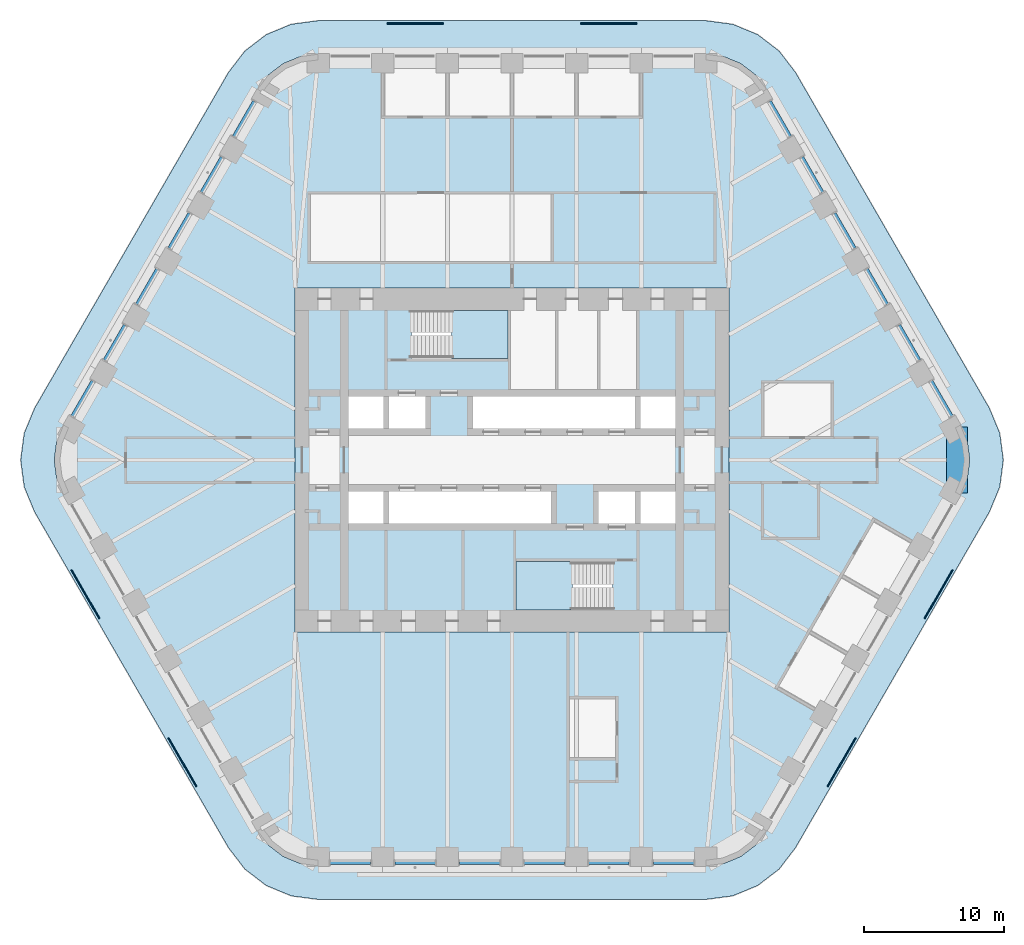
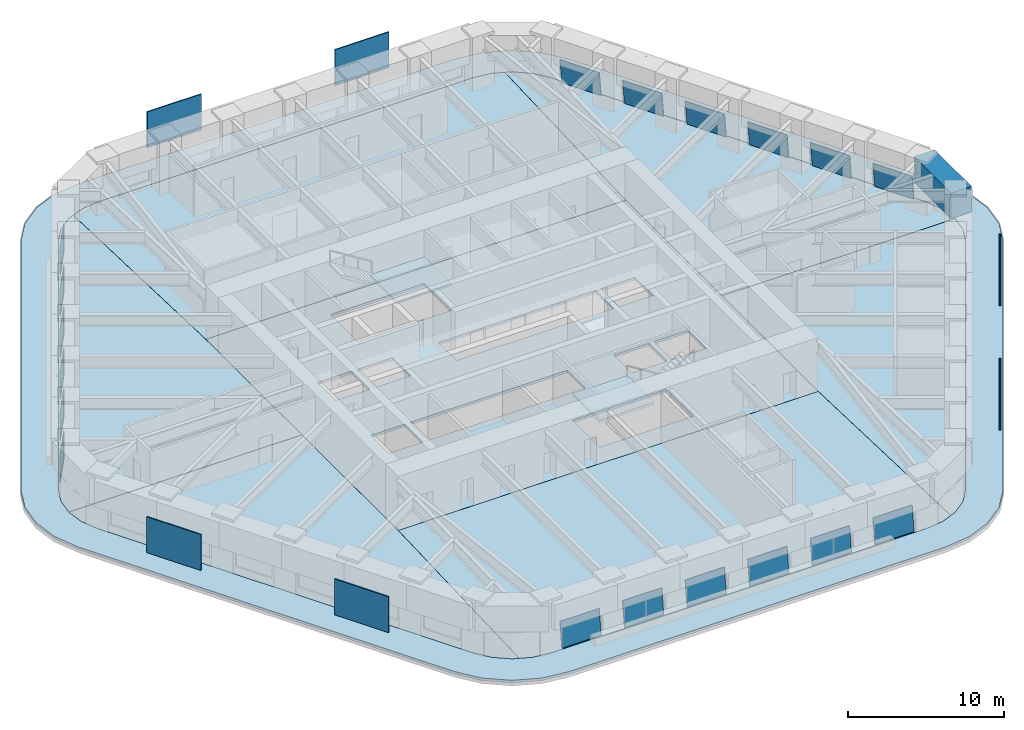
# One storey, part 13 of 20: 24 plates, 10 slabs, 1 beam, 20 elements without a shape of their own.
"""IFC4 building model written with IfcOpenShell, lengths in metres."""

from ifc_helpers import new_model, si_unit, direction, frame, origin, origin_2d, place, context, subcontext, project, spatial, polyline, rectangle, outline, extrude, material, layer, layer_set, material_profile, profile_set, type_object, element, aggregate, save


model = new_model("IFC4")

# Units and contexts
model_context = context("Model", 3, precision=1e-05, world=origin(), true_north=direction((0.0, 1.0)))
body_context = subcontext(model_context, "Body", "Model", "MODEL_VIEW")
ifc_project = project(units=[si_unit("LENGTHUNIT", "METRE"), si_unit("AREAUNIT", "SQUARE_METRE"), si_unit("VOLUMEUNIT", "CUBIC_METRE"), si_unit("PLANEANGLEUNIT", "RADIAN"), si_unit("MASSUNIT", "GRAM", prefix="KILO")], contexts=[model_context])

# Site, building, storey
site_placement = place(None, origin())
site = spatial("IfcSite", under=ifc_project, at=site_placement, CompositionType="ELEMENT")
building_placement = place(site_placement, origin())
building = spatial("IfcBuilding", under=site, at=building_placement, Name="Tarfa Lantern Tower", CompositionType="ELEMENT")
storey_placement = place(building_placement, frame((0.0, 0.0, 228.10009765625)))
storey = spatial("IfcBuildingStorey", under=building, at=storey_placement, Name="L51", CompositionType="ELEMENT", Elevation=228.10009765625)

# Beam
ifc_material_1 = material(Name="Concrete C80/95", Category="concrete")
ifc_material_profile = material_profile(ifc_material_1, rectangle(XDim=1.5, YDim=2.0, at=origin_2d()), Name="RC 1500x2000")
ifc_profile_set = profile_set([ifc_material_profile], Name="Concrete C80/95")
beam_type = type_object("IfcBeamType", Name="RB3 RC 1500x2000", PredefinedType="BEAM", material=ifc_profile_set)
beam_placement = place(storey_placement, frame((31.800537109375, -2.360107421875, 3.0), z_axis=(0.0, 1.0, 0.0), x_axis=(-1.0, 0.0, 0.0)))
element("IfcBeam", 1, at=beam_placement, inside=storey, type_object=beam_type, Name="Edge beam SE6", PredefinedType="BEAM", context=body_context, shape_type="SweptSolid", body=[
    extrude(rectangle(XDim=1.5, YDim=2.0, at=origin_2d()), origin(), (0.0, 0.0, 1.0), 4.72021484375),
])

# Slab
ifc_material_2 = material(Name="Concrete C40/50", Category="concrete")
ifc_layer_1 = layer(ifc_material_2, 0.199951171875)
ifc_layer_set_1 = layer_set([ifc_layer_1], Name="BS2 BALCONY SLAB 200")
slab_type_1 = type_object("IfcSlabType", Name="BS2 BALCONY SLAB 200", PredefinedType="FLOOR", material=ifc_layer_set_1)
slab_1_placement = place(storey_placement, frame((0.0, 0.0, -0.2001953125)))
element("IfcSlab", 2, at=slab_1_placement, inside=storey, type_object=slab_type_1, Name="Planted ledge L51", PredefinedType="FLOOR", context=body_context, shape_type="SweptSolid", body=[
    extrude(outline(polyline([(34.121337890625, 3.699951171875), (20.264892578125, 27.699951171875), (19.089111328125, 29.232666015625), (17.556396484375, 30.40869140625), (15.771728515625, 31.14794921875), (13.8564453125, 31.39990234375), (-13.8564453125, 31.39990234375), (-15.771728515625, 31.14794921875), (-17.556396484375, 30.40869140625), (-19.089111328125, 29.232666015625), (-20.264892578125, 27.699951171875), (-34.121337890625, 3.699951171875), (-34.860595703125, 1.915283203125), (-35.11279296875, 0.0), (-34.860595703125, -1.915283203125), (-34.121337890625, -3.699951171875), (-20.264892578125, -27.699951171875), (-19.089111328125, -29.232666015625), (-17.556396484375, -30.40869140625), (-15.771728515625, -31.14794921875), (-13.8564453125, -31.39990234375), (13.8564453125, -31.39990234375), (15.771728515625, -31.14794921875), (17.556396484375, -30.40869140625), (19.089111328125, -29.232666015625), (20.264892578125, -27.699951171875), (34.121337890625, -3.699951171875), (34.860595703125, -1.915283203125), (35.11279296875, 0.0), (34.860595703125, 1.915283203125), (34.121337890625, 3.699951171875)]), holes=[polyline([(32.04296875, 2.5), (18.1865234375, 26.5), (17.391845703125, 27.53564453125), (16.3564453125, 28.330078125), (15.150390625, 28.82958984375), (13.8564453125, 29.0), (-13.8564453125, 29.0), (-15.150390625, 28.82958984375), (-16.3564453125, 28.330078125), (-17.391845703125, 27.53564453125), (-18.1865234375, 26.5), (-32.04296875, 2.5), (-32.54248046875, 1.294189453125), (-32.712890625, 0.0), (-32.54248046875, -1.294189453125), (-32.04296875, -2.5), (-18.1865234375, -26.5), (-17.391845703125, -27.53564453125), (-16.3564453125, -28.330078125), (-15.150390625, -28.82958984375), (-13.8564453125, -29.0), (13.8564453125, -29.0), (15.150390625, -28.82958984375), (16.3564453125, -28.330078125), (17.391845703125, -27.53564453125), (18.1865234375, -26.5), (32.04296875, -2.5), (32.54248046875, -1.294189453125), (32.712890625, 0.0), (32.54248046875, 1.294189453125), (32.04296875, 2.5)])]), origin(), (0.0, 0.0, 1.0), 0.2001953125),
])

# Curtain wall, plate
ifc_material_3 = material(Name="Aluminium framed curtain wall", Category="aluminium")
curtain_wall_type = type_object("IfcCurtainWallType", Name="CW3 CANTED GLAZING HIGH ZONE 2000", PredefinedType="USERDEFINED", material=ifc_material_3)
curtain_wall_1_placement = place(storey_placement, origin())
curtain_wall_1 = element("IfcCurtainWall", 3, at=curtain_wall_1_placement, inside=storey, type_object=curtain_wall_type, Name="CW3 NE L51", ObjectType="CURTAIN WALL", PredefinedType="USERDEFINED")
ifc_material_4 = material(Name="Laminated double glazing", Category="glass")
ifc_layer_2 = layer(ifc_material_4, 0.028076171875)
ifc_layer_set_2 = layer_set([ifc_layer_2], Name="CWP1 DOUBLE GLAZED PANEL")
plate_type_1 = type_object("IfcPlateType", Name="CWP1 DOUBLE GLAZED PANEL", PredefinedType="CURTAIN_PANEL", material=ifc_layer_set_2)
plate_1_placement = place(storey_placement, frame((31.52392578125, 3.19921875, 0.0), z_axis=(0.859299793582, 0.496191751598, 0.124087108099), x_axis=(-0.500056524144, 0.865992767095, 0.0)))
plate_1 = element("IfcPlate", 4, at=plate_1_placement, type_object=plate_type_1, Name="CW3 panel 1.1", PredefinedType="CURTAIN_PANEL", context=body_context, shape_type="SweptSolid", body=[
    extrude(outline(polyline([(0.0, 0.0), (2.888833578560424, -2.7755575615628914e-17), (2.88871543530755, 1.9498844694158315), (-0.000118143252874362, 1.9498844694158315), (0.0, 0.0)])), origin(), (0.0, 0.0, -1.0), 0.028076171875),
])
aggregate(curtain_wall_1, [plate_1])

curtain_wall_2_placement = place(storey_placement, origin())
curtain_wall_2 = element("IfcCurtainWall", 5, at=curtain_wall_2_placement, inside=storey, type_object=curtain_wall_type, Name="CW3 NE L51", ObjectType="CURTAIN WALL", PredefinedType="USERDEFINED")
plate_2_placement = place(storey_placement, frame((29.21435546875, 7.19921875, 0.0), z_axis=(0.859336107929, 0.496128858642, 0.124087103406), x_axis=(-0.499993141028, 0.866029363778, 0.0)))
plate_2 = element("IfcPlate", 6, at=plate_2_placement, type_object=plate_type_1, Name="CW3 panel 1.1", PredefinedType="CURTAIN_PANEL", context=body_context, shape_type="SweptSolid", body=[
    extrude(outline(polyline([(0.0, 0.0), (2.8887115021851173, 0.0), (2.8885756502729745, 1.9498844682624519), (-0.00013585191214295132, 1.9498844682624519), (0.0, 0.0)])), origin(), (0.0, 0.0, -1.0), 0.028076171875),
])
aggregate(curtain_wall_2, [plate_2])

curtain_wall_3_placement = place(storey_placement, origin())
curtain_wall_3 = element("IfcCurtainWall", 7, at=curtain_wall_3_placement, inside=storey, type_object=curtain_wall_type, Name="CW3 NE L51", ObjectType="CURTAIN WALL", PredefinedType="USERDEFINED")
plate_3_placement = place(storey_placement, frame((26.905029296875, 11.19921875, 0.0), z_axis=(0.859336107929, 0.496128858642, 0.124087103406), x_axis=(-0.499993141028, 0.866029363778, 0.0)))
plate_3 = element("IfcPlate", 8, at=plate_3_placement, type_object=plate_type_1, Name="CW3 panel 1.1", PredefinedType="CURTAIN_PANEL", context=body_context, shape_type="SweptSolid", body=[
    extrude(outline(polyline([(0.0, 0.0), (2.8887115021851173, 0.0), (2.8885756502729745, 1.9498844682624519), (-0.00013585191214295132, 1.9498844682624519), (0.0, 0.0)])), origin(), (0.0, 0.0, -1.0), 0.028076171875),
])
aggregate(curtain_wall_3, [plate_3])

curtain_wall_4_placement = place(storey_placement, origin())
curtain_wall_4 = element("IfcCurtainWall", 9, at=curtain_wall_4_placement, inside=storey, type_object=curtain_wall_type, Name="CW3 NE L51", ObjectType="CURTAIN WALL", PredefinedType="USERDEFINED")
plate_4_placement = place(storey_placement, frame((24.595703125, 15.19921875, 0.0), z_axis=(0.859299793582, 0.496191751598, 0.124087108099), x_axis=(-0.500056524144, 0.865992767095, 0.0)))
plate_4 = element("IfcPlate", 10, at=plate_4_placement, type_object=plate_type_1, Name="CW3 panel 1.1", PredefinedType="CURTAIN_PANEL", context=body_context, shape_type="SweptSolid", body=[
    extrude(outline(polyline([(0.0, 0.0), (2.888833578560424, -2.7755575615628914e-17), (2.88871543530755, 1.9498844694158315), (-0.000118143252874362, 1.9498844694158315), (0.0, 0.0)])), origin(), (0.0, 0.0, -1.0), 0.028076171875),
])
aggregate(curtain_wall_4, [plate_4])

curtain_wall_5_placement = place(storey_placement, origin())
curtain_wall_5 = element("IfcCurtainWall", 11, at=curtain_wall_5_placement, inside=storey, type_object=curtain_wall_type, Name="CW3 NE L51", ObjectType="CURTAIN WALL", PredefinedType="USERDEFINED")
plate_5_placement = place(storey_placement, frame((22.2861328125, 19.19921875, 0.0), z_axis=(0.859336107929, 0.496128858642, 0.124087103406), x_axis=(-0.499993141028, 0.866029363778, 0.0)))
plate_5 = element("IfcPlate", 12, at=plate_5_placement, type_object=plate_type_1, Name="CW3 panel 1.1", PredefinedType="CURTAIN_PANEL", context=body_context, shape_type="SweptSolid", body=[
    extrude(outline(polyline([(0.0, 0.0), (2.8887115021851173, 0.0), (2.8885756502729745, 1.9498844682624519), (-0.00013585191214295132, 1.9498844682624519), (0.0, 0.0)])), origin(), (0.0, 0.0, -1.0), 0.028076171875),
])
aggregate(curtain_wall_5, [plate_5])

curtain_wall_6_placement = place(storey_placement, origin())
curtain_wall_6 = element("IfcCurtainWall", 13, at=curtain_wall_6_placement, inside=storey, type_object=curtain_wall_type, Name="CW3 NE L51", ObjectType="CURTAIN WALL", PredefinedType="USERDEFINED")
plate_6_placement = place(storey_placement, frame((19.976806640625, 23.19921875, 0.0), z_axis=(0.859336107929, 0.496128858642, 0.124087103406), x_axis=(-0.499993141028, 0.866029363778, 0.0)))
plate_6 = element("IfcPlate", 14, at=plate_6_placement, type_object=plate_type_1, Name="CW3 panel 1.1", PredefinedType="CURTAIN_PANEL", context=body_context, shape_type="SweptSolid", body=[
    extrude(outline(polyline([(0.0, 0.0), (2.8887115021851173, 0.0), (2.8885756502729745, 1.9498844682624519), (-0.00013585191214295132, 1.9498844682624519), (0.0, 0.0)])), origin(), (0.0, 0.0, -1.0), 0.028076171875),
])
aggregate(curtain_wall_6, [plate_6])

curtain_wall_7_placement = place(storey_placement, origin())
curtain_wall_7 = element("IfcCurtainWall", 15, at=curtain_wall_7_placement, inside=storey, type_object=curtain_wall_type, Name="CW3 NW L51", ObjectType="CURTAIN WALL", PredefinedType="USERDEFINED")
plate_7_placement = place(storey_placement, frame((-18.532470703125, 25.700927734375, 0.0), z_axis=(-0.859336107929, 0.496128858642, 0.124087103406), x_axis=(-0.499993141028, -0.866029363778, 0.0)))
plate_7 = element("IfcPlate", 16, at=plate_7_placement, type_object=plate_type_1, Name="CW3 panel 1.1", PredefinedType="CURTAIN_PANEL", context=body_context, shape_type="SweptSolid", body=[
    extrude(outline(polyline([(0.0, 0.0), (2.8887115021851173, 0.0), (2.888847354097261, 1.9498844682624519), (0.00013585191214295132, 1.9498844682624519), (0.0, 0.0)])), origin(), (0.0, 0.0, -1.0), 0.028076171875),
])
aggregate(curtain_wall_7, [plate_7])

curtain_wall_8_placement = place(storey_placement, origin())
curtain_wall_8 = element("IfcCurtainWall", 17, at=curtain_wall_8_placement, inside=storey, type_object=curtain_wall_type, Name="CW3 NW L51", ObjectType="CURTAIN WALL", PredefinedType="USERDEFINED")
plate_8_placement = place(storey_placement, frame((-20.841796875, 21.700927734375, 0.0), z_axis=(-0.859336107929, 0.496128858642, 0.124087103406), x_axis=(-0.499993141028, -0.866029363778, 0.0)))
plate_8 = element("IfcPlate", 18, at=plate_8_placement, type_object=plate_type_1, Name="CW3 panel 1.1", PredefinedType="CURTAIN_PANEL", context=body_context, shape_type="SweptSolid", body=[
    extrude(outline(polyline([(0.0, 0.0), (2.8887115021851173, 0.0), (2.888847354097261, 1.9498844682624519), (0.00013585191214295132, 1.9498844682624519), (0.0, 0.0)])), origin(), (0.0, 0.0, -1.0), 0.028076171875),
])
aggregate(curtain_wall_8, [plate_8])

curtain_wall_9_placement = place(storey_placement, origin())
curtain_wall_9 = element("IfcCurtainWall", 19, at=curtain_wall_9_placement, inside=storey, type_object=curtain_wall_type, Name="CW3 NW L51", ObjectType="CURTAIN WALL", PredefinedType="USERDEFINED")
plate_9_placement = place(storey_placement, frame((-23.151123046875, 17.700927734375, 0.0), z_axis=(-0.859299793582, 0.496191751598, 0.124087108099), x_axis=(-0.500056524144, -0.865992767095, 0.0)))
plate_9 = element("IfcPlate", 20, at=plate_9_placement, type_object=plate_type_1, Name="CW3 panel 1.1", PredefinedType="CURTAIN_PANEL", context=body_context, shape_type="SweptSolid", body=[
    extrude(outline(polyline([(0.0, 0.0), (2.888833578560424, 2.7755575615628914e-17), (2.8889517218132985, 1.9498844694158315), (0.000118143252874362, 1.9498844694158315), (0.0, 0.0)])), origin(), (0.0, 0.0, -1.0), 0.028076171875),
])
aggregate(curtain_wall_9, [plate_9])

curtain_wall_10_placement = place(storey_placement, origin())
curtain_wall_10 = element("IfcCurtainWall", 21, at=curtain_wall_10_placement, inside=storey, type_object=curtain_wall_type, Name="CW3 NW L51", ObjectType="CURTAIN WALL", PredefinedType="USERDEFINED")
plate_10_placement = place(storey_placement, frame((-25.460693359375, 13.700927734375, 0.0), z_axis=(-0.859336107929, 0.496128858642, 0.124087103406), x_axis=(-0.499993141028, -0.866029363778, 0.0)))
plate_10 = element("IfcPlate", 22, at=plate_10_placement, type_object=plate_type_1, Name="CW3 panel 1.1", PredefinedType="CURTAIN_PANEL", context=body_context, shape_type="SweptSolid", body=[
    extrude(outline(polyline([(0.0, 0.0), (2.8887115021851173, 0.0), (2.888847354097261, 1.9498844682624519), (0.00013585191214295132, 1.9498844682624519), (0.0, 0.0)])), origin(), (0.0, 0.0, -1.0), 0.028076171875),
])
aggregate(curtain_wall_10, [plate_10])

curtain_wall_11_placement = place(storey_placement, origin())
curtain_wall_11 = element("IfcCurtainWall", 23, at=curtain_wall_11_placement, inside=storey, type_object=curtain_wall_type, Name="CW3 NW L51", ObjectType="CURTAIN WALL", PredefinedType="USERDEFINED")
plate_11_placement = place(storey_placement, frame((-27.77001953125, 9.700927734375, 0.0), z_axis=(-0.859336107929, 0.496128858642, 0.124087103406), x_axis=(-0.499993141028, -0.866029363778, 0.0)))
plate_11 = element("IfcPlate", 24, at=plate_11_placement, type_object=plate_type_1, Name="CW3 panel 1.1", PredefinedType="CURTAIN_PANEL", context=body_context, shape_type="SweptSolid", body=[
    extrude(outline(polyline([(0.0, 0.0), (2.8887115021851173, 0.0), (2.888847354097261, 1.9498844682624519), (0.00013585191214295132, 1.9498844682624519), (0.0, 0.0)])), origin(), (0.0, 0.0, -1.0), 0.028076171875),
])
aggregate(curtain_wall_11, [plate_11])

curtain_wall_12_placement = place(storey_placement, origin())
curtain_wall_12 = element("IfcCurtainWall", 25, at=curtain_wall_12_placement, inside=storey, type_object=curtain_wall_type, Name="CW3 NW L51", ObjectType="CURTAIN WALL", PredefinedType="USERDEFINED")
plate_12_placement = place(storey_placement, frame((-30.079345703125, 5.700927734375, 0.0), z_axis=(-0.859299793582, 0.496191751598, 0.124087108099), x_axis=(-0.500056524144, -0.865992767095, 0.0)))
plate_12 = element("IfcPlate", 26, at=plate_12_placement, type_object=plate_type_1, Name="CW3 panel 1.1", PredefinedType="CURTAIN_PANEL", context=body_context, shape_type="SweptSolid", body=[
    extrude(outline(polyline([(0.0, 0.0), (2.888833578560424, 2.7755575615628914e-17), (2.8889517218132985, 1.9498844694158315), (0.000118143252874362, 1.9498844694158315), (0.0, 0.0)])), origin(), (0.0, 0.0, -1.0), 0.028076171875),
])
aggregate(curtain_wall_12, [plate_12])

curtain_wall_13_placement = place(storey_placement, origin())
curtain_wall_13 = element("IfcCurtainWall", 27, at=curtain_wall_13_placement, inside=storey, type_object=curtain_wall_type, Name="CW3 S L51", ObjectType="CURTAIN WALL", PredefinedType="USERDEFINED")
plate_13_placement = place(storey_placement, frame((-12.991455078125, -28.89990234375, 0.0), z_axis=(0.0, -0.992287505244, 0.123957682043), x_axis=(1.0, 0.0, 0.0)))
plate_13 = element("IfcPlate", 28, at=plate_13_placement, type_object=plate_type_1, Name="CW3 panel 1.1", PredefinedType="CURTAIN_PANEL", context=body_context, shape_type="SweptSolid", body=[
    extrude(outline(polyline([(0.0, 0.0), (2.888916015625, 0.0), (2.888916015625, 1.9498526817084807), (0.0, 1.9498526817084807), (0.0, 0.0)])), origin(), (0.0, 0.0, -1.0), 0.028076171875),
])
aggregate(curtain_wall_13, [plate_13])

curtain_wall_14_placement = place(storey_placement, origin())
curtain_wall_14 = element("IfcCurtainWall", 29, at=curtain_wall_14_placement, inside=storey, type_object=curtain_wall_type, Name="CW3 S L51", ObjectType="CURTAIN WALL", PredefinedType="USERDEFINED")
plate_14_placement = place(storey_placement, frame((-8.37255859375, -28.89990234375, 0.0), z_axis=(0.0, -0.992287505244, 0.123957682043), x_axis=(1.0, 0.0, 0.0)))
plate_14 = element("IfcPlate", 30, at=plate_14_placement, type_object=plate_type_1, Name="CW3 panel 1.1", PredefinedType="CURTAIN_PANEL", context=body_context, shape_type="SweptSolid", body=[
    extrude(outline(polyline([(0.0, 0.0), (2.888671875, 0.0), (2.888671875, 1.9498526817084805), (0.0, 1.9498526817084805), (0.0, 0.0)])), origin(), (0.0, 0.0, -1.0), 0.028076171875),
])
aggregate(curtain_wall_14, [plate_14])

curtain_wall_15_placement = place(storey_placement, origin())
curtain_wall_15 = element("IfcCurtainWall", 31, at=curtain_wall_15_placement, inside=storey, type_object=curtain_wall_type, Name="CW3 S L51", ObjectType="CURTAIN WALL", PredefinedType="USERDEFINED")
plate_15_placement = place(storey_placement, frame((-3.75390625, -28.89990234375, 0.0), z_axis=(0.0, -0.992287505244, 0.123957682043), x_axis=(1.0, 0.0, 0.0)))
plate_15 = element("IfcPlate", 32, at=plate_15_placement, type_object=plate_type_1, Name="CW3 panel 1.1", PredefinedType="CURTAIN_PANEL", context=body_context, shape_type="SweptSolid", body=[
    extrude(outline(polyline([(0.0, 0.0), (2.888916015625, 0.0), (2.888916015625, 1.9498526817084807), (0.0, 1.9498526817084807), (0.0, 0.0)])), origin(), (0.0, 0.0, -1.0), 0.028076171875),
])
aggregate(curtain_wall_15, [plate_15])

curtain_wall_16_placement = place(storey_placement, origin())
curtain_wall_16 = element("IfcCurtainWall", 33, at=curtain_wall_16_placement, inside=storey, type_object=curtain_wall_type, Name="CW3 S L51", ObjectType="CURTAIN WALL", PredefinedType="USERDEFINED")
plate_16_placement = place(storey_placement, frame((0.864990234375, -28.89990234375, 0.0), z_axis=(0.0, -0.992287505244, 0.123957682043), x_axis=(1.0, 0.0, 0.0)))
plate_16 = element("IfcPlate", 34, at=plate_16_placement, type_object=plate_type_1, Name="CW3 panel 1.1", PredefinedType="CURTAIN_PANEL", context=body_context, shape_type="SweptSolid", body=[
    extrude(outline(polyline([(0.0, 0.0), (2.888916015625, 0.0), (2.888916015625, 1.9498526817084807), (0.0, 1.9498526817084807), (0.0, 0.0)])), origin(), (0.0, 0.0, -1.0), 0.028076171875),
])
aggregate(curtain_wall_16, [plate_16])

curtain_wall_17_placement = place(storey_placement, origin())
curtain_wall_17 = element("IfcCurtainWall", 35, at=curtain_wall_17_placement, inside=storey, type_object=curtain_wall_type, Name="CW3 S L51", ObjectType="CURTAIN WALL", PredefinedType="USERDEFINED")
plate_17_placement = place(storey_placement, frame((5.48388671875, -28.89990234375, 0.0), z_axis=(0.0, -0.992287505244, 0.123957682043), x_axis=(1.0, 0.0, 0.0)))
plate_17 = element("IfcPlate", 36, at=plate_17_placement, type_object=plate_type_1, Name="CW3 panel 1.1", PredefinedType="CURTAIN_PANEL", context=body_context, shape_type="SweptSolid", body=[
    extrude(outline(polyline([(0.0, 0.0), (2.888671875, 0.0), (2.888671875, 1.9498526817084805), (0.0, 1.9498526817084805), (0.0, 0.0)])), origin(), (0.0, 0.0, -1.0), 0.028076171875),
])
aggregate(curtain_wall_17, [plate_17])

curtain_wall_18_placement = place(storey_placement, origin())
curtain_wall_18 = element("IfcCurtainWall", 37, at=curtain_wall_18_placement, inside=storey, type_object=curtain_wall_type, Name="CW3 S L51", ObjectType="CURTAIN WALL", PredefinedType="USERDEFINED")
plate_18_placement = place(storey_placement, frame((10.1025390625, -28.89990234375, 0.0), z_axis=(0.0, -0.992287505244, 0.123957682043), x_axis=(1.0, 0.0, 0.0)))
plate_18 = element("IfcPlate", 38, at=plate_18_placement, type_object=plate_type_1, Name="CW3 panel 1.1", PredefinedType="CURTAIN_PANEL", context=body_context, shape_type="SweptSolid", body=[
    extrude(outline(polyline([(0.0, 0.0), (2.888916015625, 0.0), (2.888916015625, 1.9498526817084807), (0.0, 1.9498526817084807), (0.0, 0.0)])), origin(), (0.0, 0.0, -1.0), 0.028076171875),
])
aggregate(curtain_wall_18, [plate_18])

# Slabs
ifc_layer_3 = layer(ifc_material_2, 0.199951171875)
ifc_layer_set_3 = layer_set([ifc_layer_3], Name="FS1 FLOOR SLAB 200")
slab_type_2 = type_object("IfcSlabType", Name="FS1 FLOOR SLAB 200", PredefinedType="FLOOR", material=ifc_layer_set_3)
slab_2_placement = place(storey_placement, frame((0.0, 0.0, -0.2001953125)))
element("IfcSlab", 39, at=slab_2_placement, inside=storey, type_object=slab_type_2, Name="Floor slab L51", PredefinedType="FLOOR", context=body_context, shape_type="SweptSolid", body=[
    extrude(outline(polyline([(-15.5, -12.300048828125), (15.5, -12.300048828125), (15.5, 12.300048828125), (-15.5, 12.300048828125), (-15.5, -12.300048828125)]), holes=[polyline([(-11.699951171875, 2.25), (-9.199951171875, 2.25), (-9.199951171875, 4.550048828125), (-11.699951171875, 4.550048828125), (-11.699951171875, 2.25)]), polyline([(-8.800048828125, 2.25), (-6.199951171875, 2.25), (-6.199951171875, 4.550048828125), (-8.800048828125, 4.550048828125), (-8.800048828125, 2.25)]), polyline([(-2.800048828125, 2.25), (8.800048828125, 2.25), (8.800048828125, 4.550048828125), (-2.800048828125, 4.550048828125), (-2.800048828125, 2.25)]), polyline([(9.199951171875, 2.25), (11.699951171875, 2.25), (11.699951171875, 4.550048828125), (9.199951171875, 4.550048828125), (9.199951171875, 2.25)]), polyline([(11.699951171875, -2.25), (9.199951171875, -2.25), (9.199951171875, -4.550048828125), (11.699951171875, -4.550048828125), (11.699951171875, -2.25)]), polyline([(8.800048828125, -2.25), (6.199951171875, -2.25), (6.199951171875, -4.550048828125), (8.800048828125, -4.550048828125), (8.800048828125, -2.25)]), polyline([(2.800048828125, -2.25), (-8.800048828125, -2.25), (-8.800048828125, -4.550048828125), (2.800048828125, -4.550048828125), (2.800048828125, -2.25)]), polyline([(-9.199951171875, -2.25), (-11.699951171875, -2.25), (-11.699951171875, -4.550048828125), (-9.199951171875, -4.550048828125), (-9.199951171875, -2.25)]), polyline([(-7.199951171875, 7.25), (-0.300048828125, 7.25), (-0.300048828125, 10.699951171875), (-7.199951171875, 10.699951171875), (-7.199951171875, 7.25)]), polyline([(7.199951171875, -7.25), (0.300048828125, -7.25), (0.300048828125, -10.699951171875), (7.199951171875, -10.699951171875), (7.199951171875, -7.25)])]), origin(), (0.0, 0.0, 1.0), 0.2001953125),
])
slab_3_placement = place(storey_placement, frame((0.0, 0.0, -0.2001953125)))
element("IfcSlab", 40, at=slab_3_placement, inside=storey, type_object=slab_type_2, Name="Floor slab L51 NE bay", PredefinedType="FLOOR", context=body_context, shape_type="SweptSolid", body=[
    extrude(outline(polyline([(32.041259765625, 2.4990234375), (18.184814453125, 26.498779296875), (17.390625, 27.5341796875), (16.35546875, 28.328369140625), (15.927490234375, 28.505615234375), (15.501953125, 12.300048828125), (15.501953125, 0.001953125), (32.71044921875, 0.001953125), (32.54052734375, 1.29345703125), (32.041259765625, 2.4990234375)])), origin(), (0.0, 0.0, 1.0), 0.2001953125),
])
slab_4_placement = place(storey_placement, frame((0.0, 0.0, -0.2001953125)))
element("IfcSlab", 41, at=slab_4_placement, inside=storey, type_object=slab_type_2, Name="Floor slab L51 N bay", PredefinedType="FLOOR", context=body_context, shape_type="SweptSolid", body=[
    extrude(outline(polyline([(-15.498046875, 12.302001953125), (15.498046875, 12.302001953125), (15.923583984375, 28.50732421875), (15.14990234375, 28.82763671875), (13.856201171875, 28.998046875), (-13.856201171875, 28.998046875), (-15.14990234375, 28.82763671875), (-15.923583984375, 28.50732421875), (-15.498046875, 12.302001953125)])), origin(), (0.0, 0.0, 1.0), 0.2001953125),
])
slab_5_placement = place(storey_placement, frame((0.0, 0.0, -0.2001953125)))
element("IfcSlab", 42, at=slab_5_placement, inside=storey, type_object=slab_type_2, Name="Floor slab L51 NW bay", PredefinedType="FLOOR", context=body_context, shape_type="SweptSolid", body=[
    extrude(outline(polyline([(-15.501953125, 0.001953125), (-15.501953125, 12.300048828125), (-15.927490234375, 28.505615234375), (-16.35546875, 28.328369140625), (-17.390625, 27.5341796875), (-18.184814453125, 26.498779296875), (-32.041259765625, 2.4990234375), (-32.54052734375, 1.29345703125), (-32.71044921875, 0.001953125), (-15.501953125, 0.001953125)])), origin(), (0.0, 0.0, 1.0), 0.2001953125),
])
slab_6_placement = place(storey_placement, frame((0.0, 0.0, -0.2001953125)))
element("IfcSlab", 43, at=slab_6_placement, inside=storey, type_object=slab_type_2, Name="Floor slab L51 SW bay", PredefinedType="FLOOR", context=body_context, shape_type="SweptSolid", body=[
    extrude(outline(polyline([(-15.501953125, -12.300048828125), (-15.501953125, -0.001953125), (-32.71044921875, -0.001953125), (-32.54052734375, -1.29345703125), (-32.041259765625, -2.4990234375), (-18.184814453125, -26.498779296875), (-17.390625, -27.5341796875), (-16.35546875, -28.328369140625), (-15.927490234375, -28.505615234375), (-15.501953125, -12.300048828125)])), origin(), (0.0, 0.0, 1.0), 0.2001953125),
])
slab_7_placement = place(storey_placement, frame((0.0, 0.0, -0.2001953125)))
element("IfcSlab", 44, at=slab_7_placement, inside=storey, type_object=slab_type_2, Name="Floor slab L51 S bay", PredefinedType="FLOOR", context=body_context, shape_type="SweptSolid", body=[
    extrude(outline(polyline([(15.498046875, -12.302001953125), (-15.498046875, -12.302001953125), (-15.923583984375, -28.50732421875), (-15.14990234375, -28.82763671875), (-13.856201171875, -28.998046875), (13.856201171875, -28.998046875), (15.14990234375, -28.82763671875), (15.923583984375, -28.50732421875), (15.498046875, -12.302001953125)])), origin(), (0.0, 0.0, 1.0), 0.2001953125),
])
slab_8_placement = place(storey_placement, frame((0.0, 0.0, -0.2001953125)))
element("IfcSlab", 45, at=slab_8_placement, inside=storey, type_object=slab_type_2, Name="Floor slab L51 SE bay", PredefinedType="FLOOR", context=body_context, shape_type="SweptSolid", body=[
    extrude(outline(polyline([(15.501953125, -0.001953125), (15.501953125, -12.300048828125), (15.927490234375, -28.505615234375), (16.35546875, -28.328369140625), (17.390625, -27.5341796875), (18.184814453125, -26.498779296875), (32.041259765625, -2.4990234375), (32.54052734375, -1.29345703125), (32.71044921875, -0.001953125), (15.501953125, -0.001953125)])), origin(), (0.0, 0.0, 1.0), 0.2001953125),
])

# Plates
ifc_material_5 = material(Name="Perforated limestone screen", Category="masonry")
ifc_layer_4 = layer(ifc_material_5, 0.080078125)
ifc_layer_set_4 = layer_set([ifc_layer_4], Name="SC1 STONE SCREEN 80")
plate_type_2 = type_object("IfcPlateType", Name="SC1 STONE SCREEN 80", PredefinedType="USERDEFINED", material=ifc_layer_set_4)
for number, where, z_axis, x_axis, name in (
    (46, (6.92822265625, 31.199951171875, 1.19970703125), (0.0, 0.0, 1.0), (-1.0, 0.0, 0.0), "Stone screen N 1"),
    (47, (-6.92822265625, 31.199951171875, 1.19970703125), (0.0, 0.0, 1.0), (-1.0, 0.0, 0.0), "Stone screen N 2"),
    (48, (-30.484130859375, -9.60009765625, 1.19970703125), (0.0, 0.0, 1.0), (0.5, -0.866025403784, 0.0), "Stone screen SW 1"),
    (49, (-23.555908203125, -21.60009765625, 1.19970703125), (0.0, 0.0, 1.0), (0.5, -0.866025403784, 0.0), "Stone screen SW 2"),
    (50, (23.555908203125, -21.60009765625, 1.19970703125), (0.0, 0.0, 1.0), (0.5, 0.866025403784, 0.0), "Stone screen SE 1"),
    (51, (30.484130859375, -9.60009765625, 1.19970703125), (0.0, 0.0, 1.0), (0.5, 0.866025403784, 0.0), "Stone screen SE 2"),
):
    element("IfcPlate", number, at=place(storey_placement, frame(where, z_axis=z_axis, x_axis=x_axis)), inside=storey, type_object=plate_type_2, Name=name, ObjectType="SCREEN", PredefinedType="USERDEFINED", context=body_context, shape_type="SweptSolid", body=[
        extrude(rectangle(XDim=4.0, YDim=0.080078125, at=origin_2d()), origin(), (0.0, 0.0, 1.0), 2.800048828125),
    ])

# Stair, slab
stair_type = type_object("IfcStairType", Name="ST-T10 HALF-TURN STAIR 4200 RISE", PredefinedType="HALF_TURN_STAIR", material=ifc_material_2)
stair_1_placement = place(storey_placement, origin())
stair_1 = element("IfcStair", 52, at=stair_1_placement, inside=storey, type_object=stair_type, Name="Stair ST1", PredefinedType="HALF_TURN_STAIR")
ifc_layer_5 = layer(ifc_material_2, 0.199951171875)
ifc_layer_set_5 = layer_set([ifc_layer_5], Name="SL1 STAIR LANDING 200")
slab_type_3 = type_object("IfcSlabType", Name="SL1 STAIR LANDING 200", PredefinedType="LANDING", material=ifc_layer_set_5)
slab_9_placement = place(storey_placement, frame((0.0, 0.0, 1.89990234375)))
slab_9 = element("IfcSlab", 53, at=slab_9_placement, type_object=slab_type_3, Name="ST1 landing 1", PredefinedType="LANDING", context=body_context, shape_type="SweptSolid", body=[
    extrude(outline(polyline([(-4.320068359375, 7.25), (-0.300048828125, 7.25), (-0.300048828125, 10.699951171875), (-4.320068359375, 10.699951171875), (-4.320068359375, 7.25)])), origin(), (0.0, 0.0, 1.0), 0.199951171875),
])
aggregate(stair_1, [slab_9])

stair_2_placement = place(storey_placement, origin())
stair_2 = element("IfcStair", 54, at=stair_2_placement, inside=storey, type_object=stair_type, Name="Stair ST2", PredefinedType="HALF_TURN_STAIR")
slab_10_placement = place(storey_placement, frame((0.0, 0.0, 1.89990234375)))
slab_10 = element("IfcSlab", 55, at=slab_10_placement, type_object=slab_type_3, Name="ST2 landing 1", PredefinedType="LANDING", context=body_context, shape_type="SweptSolid", body=[
    extrude(outline(polyline([(4.320068359375, -7.25), (0.300048828125, -7.25), (0.300048828125, -10.699951171875), (4.320068359375, -10.699951171875), (4.320068359375, -7.25)])), origin(), (0.0, 0.0, 1.0), 0.199951171875),
])
aggregate(stair_2, [slab_10])

save(model, "model.ifc")
